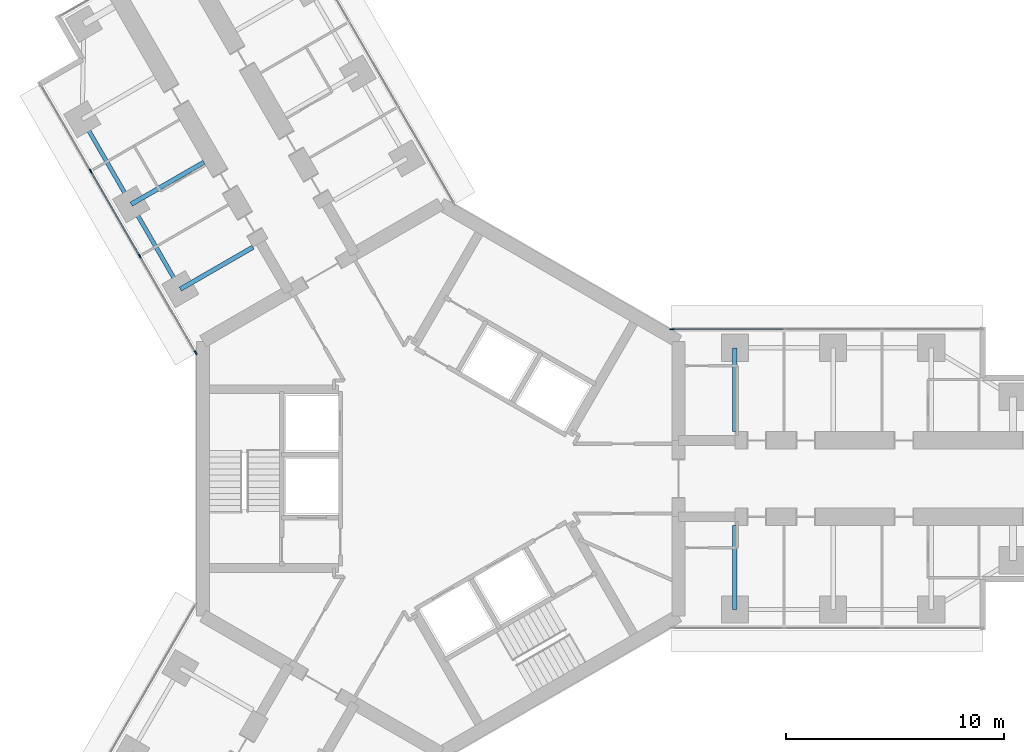
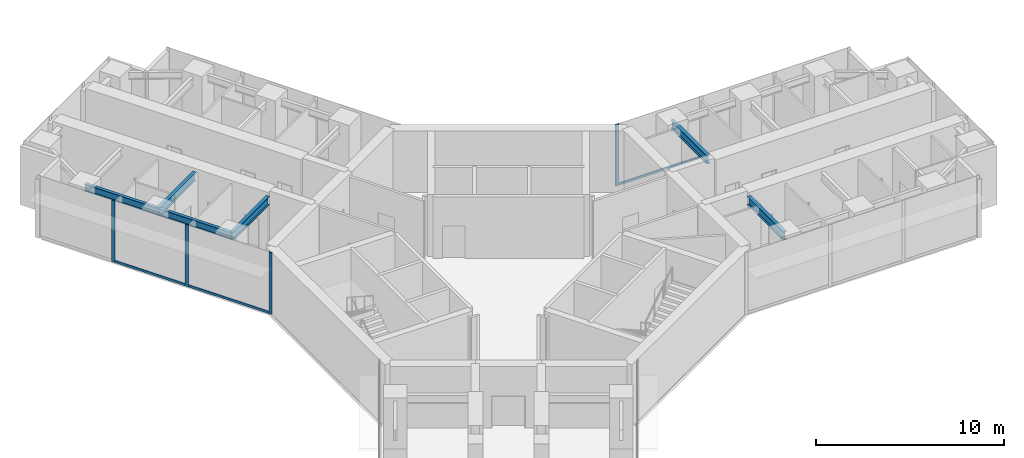
# One storey, part 5 of 23: 7 members, 6 beams, 2 elements without a shape of their own.
"""IFC4 building model written with IfcOpenShell, lengths in metres."""

from ifc_helpers import new_model, si_unit, direction, frame, origin, origin_2d, place, context, subcontext, project, spatial, rectangle, i_section, extrude, material, material_profile, profile_set, type_object, element, aggregate, save


model = new_model("IFC4")

# Units and contexts
model_context = context("Model", 3, precision=1e-05, world=origin(), true_north=direction((0.0, 1.0)))
body_context = subcontext(model_context, "Body", "Model", "MODEL_VIEW")
ifc_project = project(units=[si_unit("LENGTHUNIT", "METRE"), si_unit("AREAUNIT", "SQUARE_METRE"), si_unit("VOLUMEUNIT", "CUBIC_METRE"), si_unit("PLANEANGLEUNIT", "RADIAN"), si_unit("MASSUNIT", "GRAM", prefix="KILO")], contexts=[model_context])

# Site, building, storey
site_placement = place(None, origin())
site = spatial("IfcSite", under=ifc_project, at=site_placement, CompositionType="ELEMENT")
building_placement = place(site_placement, origin())
building = spatial("IfcBuilding", under=site, at=building_placement, Name="Upepo Twin Towers", CompositionType="ELEMENT")
storey_placement = place(building_placement, frame((0.0, 0.0, 153.5)))
storey = spatial("IfcBuildingStorey", under=building, at=storey_placement, Name="L37", CompositionType="ELEMENT", Elevation=153.5)

# Beams
ifc_material_1 = material(Name="Steel S355", Category="steel")
ifc_material_profile_1 = material_profile(ifc_material_1, i_section(OverallWidth=0.1904296875, OverallDepth=0.45703125, WebThickness=0.009033203125, FlangeThickness=0.014404296875, FilletRadius=0.01025390625, at=origin_2d()), Name="UB 457x191x74")
ifc_profile_set_1 = profile_set([ifc_material_profile_1], Name="Steel S355")
beam_type_1 = type_object("IfcBeamType", Name="Beam UB 457x191x74", PredefinedType="BEAM", material=ifc_profile_set_1)
beam_1_placement = place(storey_placement, frame((-11.946044921875, 8.69140625, 3.571533203125), z_axis=(-0.500013631625, 0.866017533419, 0.0), x_axis=(-0.866017533419, -0.500013631625, 0.0)))
element("IfcBeam", 1, at=beam_1_placement, inside=storey, type_object=beam_type_1, Name="T1 edge beam BL 13.5-18.0", PredefinedType="BEAM", context=body_context, shape_type="SweptSolid", body=[
    extrude(i_section(OverallWidth=0.1904296875, OverallDepth=0.45703125, WebThickness=0.009033203125, FlangeThickness=0.014404296875, FilletRadius=0.01025390625, at=origin_2d()), origin(), (0.0, 0.0, 1.0), 4.499755859375),
])
beam_2_placement = place(storey_placement, frame((-14.196044921875, 12.58837890625, 3.571533203125), z_axis=(-0.499990139034, 0.866031096941, 0.0), x_axis=(-0.866031096941, -0.499990139034, 0.0)))
element("IfcBeam", 2, at=beam_2_placement, inside=storey, type_object=beam_type_1, Name="T1 edge beam BL 18.0-22.5", PredefinedType="BEAM", context=body_context, shape_type="SweptSolid", body=[
    extrude(i_section(OverallWidth=0.1904296875, OverallDepth=0.45703125, WebThickness=0.009033203125, FlangeThickness=0.014404296875, FilletRadius=0.01025390625, at=origin_2d()), origin(), (0.0, 0.0, 1.0), 4.5),
])
ifc_material_2 = material(Name="Steel S355", Category="steel")
ifc_material_profile_2 = material_profile(ifc_material_2, i_section(OverallWidth=0.209228515625, OverallDepth=0.533203125, WebThickness=0.010009765625, FlangeThickness=0.015625, FilletRadius=0.0126953125, at=origin_2d()), Name="UB 533x210x92")
ifc_profile_set_2 = profile_set([ifc_material_profile_2], Name="Steel S355")
beam_type_2 = type_object("IfcBeamType", Name="Beam UB 533x210x92", PredefinedType="BEAM", material=ifc_profile_set_2)
for number, where, z_axis, x_axis, name in (
    (3, (13.5, 6.0, 3.533447265625), (0.0, -1.0, 0.0), (1.0, 0.0, 0.0), "T1 girder AL at 13.5"),
    (4, (13.5, -6.0, 3.533447265625), (0.0, 1.0, 0.0), (-1.0, 0.0, 0.0), "T1 girder AR at 13.5"),
):
    element("IfcBeam", number, at=place(storey_placement, frame(where, z_axis=z_axis, x_axis=x_axis)), inside=storey, type_object=beam_type_2, Name=name, PredefinedType="BEAM", context=body_context, shape_type="SweptSolid", body=[
        extrude(i_section(OverallWidth=0.209228515625, OverallDepth=0.533203125, WebThickness=0.010009765625, FlangeThickness=0.015625, FilletRadius=0.0126953125, at=origin_2d()), origin(), (0.0, 0.0, 1.0), 3.85009765625),
    ])
for number, where, z_axis, x_axis, name in (
    (5, (-11.946044921875, 8.69140625, 3.533447265625), (0.866006051527, 0.500033517596, 0.0), (-0.500033517596, 0.866006051527, 0.0), "T1 girder BL at 13.5"),
    (6, (-14.196044921875, 12.58837890625, 3.533447265625), (0.866006051527, 0.500033517596, 0.0), (-0.500033517596, 0.866006051527, 0.0), "T1 girder BL at 18.0"),
):
    element("IfcBeam", number, at=place(storey_placement, frame(where, z_axis=z_axis, x_axis=x_axis)), inside=storey, type_object=beam_type_2, Name=name, PredefinedType="BEAM", context=body_context, shape_type="SweptSolid", body=[
        extrude(i_section(OverallWidth=0.209228515625, OverallDepth=0.533203125, WebThickness=0.010009765625, FlangeThickness=0.015625, FilletRadius=0.0126953125, at=origin_2d()), origin(), (0.0, 0.0, 1.0), 3.849853515625),
    ])

# Curtain wall, member
ifc_material_3 = material(Name="Aluminium and fritted glass", Category="aluminium")
curtain_wall_type = type_object("IfcCurtainWallType", Name="Tower curtain wall TW2, fritted glass", PredefinedType="NOTDEFINED", material=ifc_material_3)
curtain_wall_1_placement = place(storey_placement, origin())
curtain_wall_1 = element("IfcCurtainWall", 7, at=curtain_wall_1_placement, inside=storey, type_object=curtain_wall_type, Name="T1 L37 wing A flank L curtain wall", PredefinedType="NOTDEFINED")
ifc_material_4 = material(Name="Aluminium mullion", Category="aluminium")
ifc_material_profile_3 = material_profile(ifc_material_4, rectangle(XDim=0.06494140625, YDim=0.199951171875, at=origin_2d()), Name="MULLION 65x200")
ifc_profile_set_3 = profile_set([ifc_material_profile_3], Name="Aluminium mullion")
member_type_1 = type_object("IfcMemberType", Name="Mullion 65x200 TW2", PredefinedType="MULLION", material=ifc_profile_set_3)
member_1_placement = place(storey_placement, frame((10.61962890625, 6.85009765625, 0.0), z_axis=(0.0, 0.0, 1.0), x_axis=(0.0, 1.0, 0.0)))
member_1 = element("IfcMember", 8, at=member_1_placement, type_object=member_type_1, Name="T1 L37 wing A flank L curtain wall mullion 1", PredefinedType="MULLION", context=body_context, shape_type="SweptSolid", body=[
    extrude(rectangle(XDim=0.06494140625, YDim=0.199951171875, at=origin_2d()), origin(), (0.0, 0.0, 1.0), 4.0),
])

# Curtain wall, members
curtain_wall_2_placement = place(storey_placement, origin())
curtain_wall_2 = element("IfcCurtainWall", 9, at=curtain_wall_2_placement, inside=storey, type_object=curtain_wall_type, Name="T1 L37 wing B flank L curtain wall", PredefinedType="NOTDEFINED")
member_2_placement = place(storey_placement, frame((-11.2421875, 5.77197265625, 0.0), z_axis=(0.0, 0.0, 1.0), x_axis=(-0.866025397833, -0.500000010308, 0.0)))
member_2 = element("IfcMember", 10, at=member_2_placement, type_object=member_type_1, Name="T1 L37 wing B flank L curtain wall mullion 1", PredefinedType="MULLION", context=body_context, shape_type="SweptSolid", body=[
    extrude(rectangle(XDim=0.06494140625, YDim=0.199951171875, at=origin_2d()), origin(), (0.0, 0.0, 1.0), 4.0),
])
member_3_placement = place(storey_placement, frame((-13.807373046875, 10.21484375, 0.0), z_axis=(0.0, 0.0, 1.0), x_axis=(-0.866025397833, -0.500000010308, 0.0)))
member_3 = element("IfcMember", 11, at=member_3_placement, type_object=member_type_1, Name="T1 L37 wing B flank L curtain wall mullion 2", PredefinedType="MULLION", context=body_context, shape_type="SweptSolid", body=[
    extrude(rectangle(XDim=0.06494140625, YDim=0.199951171875, at=origin_2d()), origin(), (0.0, 0.0, 1.0), 4.0),
])
member_4_placement = place(storey_placement, frame((-16.057373046875, 14.112060546875, 0.0), z_axis=(0.0, 0.0, 1.0), x_axis=(-0.866025397833, -0.500000010308, 0.0)))
member_4 = element("IfcMember", 12, at=member_4_placement, type_object=member_type_1, Name="T1 L37 wing B flank L curtain wall mullion 3", PredefinedType="MULLION", context=body_context, shape_type="SweptSolid", body=[
    extrude(rectangle(XDim=0.06494140625, YDim=0.199951171875, at=origin_2d()), origin(), (0.0, 0.0, 1.0), 4.0),
])

# Member
ifc_material_5 = material(Name="Aluminium transom", Category="aluminium")
ifc_material_profile_4 = material_profile(ifc_material_5, rectangle(XDim=0.06494140625, YDim=0.14990234375, at=origin_2d()), Name="TRANSOM 65x150")
ifc_profile_set_4 = profile_set([ifc_material_profile_4], Name="Aluminium transom")
member_type_2 = type_object("IfcMemberType", Name="Transom 65x150 TW2", PredefinedType="USERDEFINED", material=ifc_profile_set_4)
member_5_placement = place(storey_placement, frame((10.652099609375, 6.85009765625, 0.074951171875), z_axis=(1.0, 0.0, 0.0), x_axis=(0.0, 1.0, 0.0)))
member_5 = element("IfcMember", 13, at=member_5_placement, type_object=member_type_2, Name="T1 L37 wing A flank L curtain wall transom 1", ObjectType="TRANSOM", PredefinedType="USERDEFINED", context=body_context, shape_type="SweptSolid", body=[
    extrude(rectangle(XDim=0.06494140625, YDim=0.14990234375, at=origin_2d()), origin(), (0.0, 0.0, 1.0), 5.0654296875),
])

aggregate(curtain_wall_1, [member_1, member_5])

member_6_placement = place(storey_placement, frame((-11.25830078125, 5.800048828125, 0.074951171875), z_axis=(-0.500006158363, 0.866021848223, 0.0), x_axis=(-0.866021848223, -0.500006158363, 0.0)))
member_6 = element("IfcMember", 14, at=member_6_placement, type_object=member_type_2, Name="T1 L37 wing B flank L curtain wall transom 1", ObjectType="TRANSOM", PredefinedType="USERDEFINED", context=body_context, shape_type="SweptSolid", body=[
    extrude(rectangle(XDim=0.06494140625, YDim=0.14990234375, at=origin_2d()), origin(), (0.0, 0.0, 1.0), 5.0654296875),
])

member_7_placement = place(storey_placement, frame((-13.823486328125, 10.2431640625, 0.074951171875), z_axis=(-0.500005184116, 0.866022410713, 0.0), x_axis=(-0.866022410713, -0.500005184116, 0.0)))
member_7 = element("IfcMember", 15, at=member_7_placement, type_object=member_type_2, Name="T1 L37 wing B flank L curtain wall transom 2", ObjectType="TRANSOM", PredefinedType="USERDEFINED", context=body_context, shape_type="SweptSolid", body=[
    extrude(rectangle(XDim=0.06494140625, YDim=0.14990234375, at=origin_2d()), origin(), (0.0, 0.0, 1.0), 4.43505859375),
])

aggregate(curtain_wall_2, [member_2, member_3, member_4, member_6, member_7])

save(model, "model.ifc")
